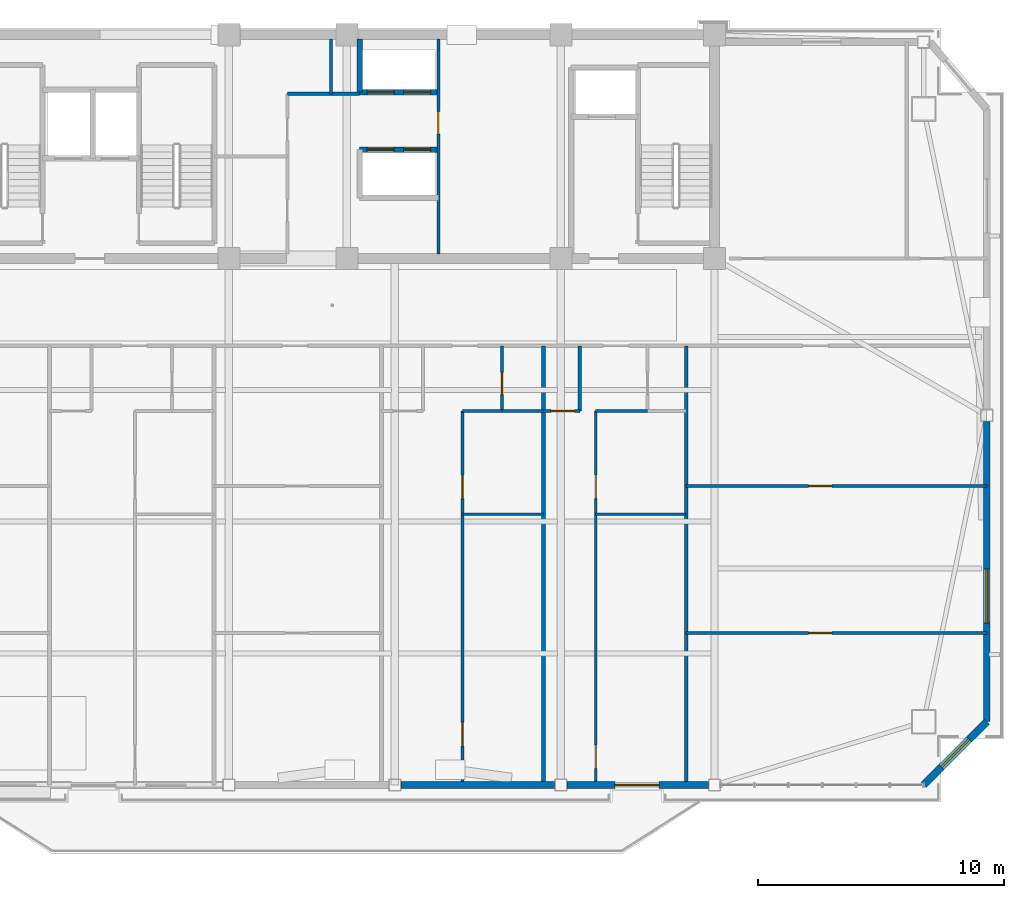
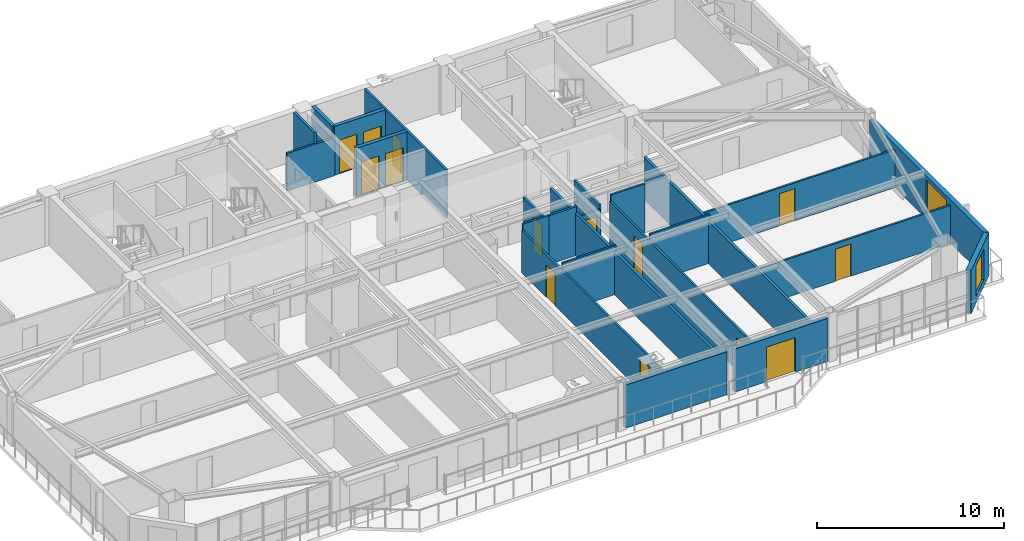
# One storey, part 10 of 18: 24 walls, 14 doors, 2 windows, 16 openings.
"""IFC4 building model written with IfcOpenShell, lengths in metres."""

import ifcopenshell
import ifcopenshell.guid

model = None  # the IFC model being written
_history = None  # IfcOwnerHistory: only IFC2X3 demands one
_inside = {}  # id of a spatial element -> (the spatial element, [elements in it])
_under = {}  # id of a project, library or spatial element -> (it, [spatial elements below it])
_declared = {}  # id of a project -> (the project, [libraries it declares])
_typed = {}  # id of a type object -> (the type object, [elements of that type])
_made_of = {}  # id of a material, layer set ... -> (it, [elements and type objects made of it])


def new_model(schema):
    """Start an empty IFC model of exactly this schema.

    Asked for "IFC4X3", IfcOpenShell would pick the latest addendum, in which some entities
    have other attributes; the version numbers below select the first issue.
    IFC2X3 requires an IfcOwnerHistory on every rooted entity: one is made here for all.
    """
    global model, _history
    if schema == "IFC4X3":
        model = ifcopenshell.file(schema_version=(4, 3, 0, 0))
    else:
        model = ifcopenshell.file(schema=schema)
    _inside.clear()
    _under.clear()
    _declared.clear()
    _typed.clear()
    _made_of.clear()
    _history = None
    if model.schema == "IFC2X3":
        org = make("IfcOrganization", Name="unknown")
        user = make(
            "IfcPersonAndOrganization",
            ThePerson=make("IfcPerson", FamilyName="unknown"),
            TheOrganization=org,
        )
        app = make(
            "IfcApplication",
            ApplicationDeveloper=org,
            Version="unknown",
            ApplicationFullName="unknown",
            ApplicationIdentifier="unknown",
        )
        _history = make(
            "IfcOwnerHistory",
            OwningUser=user,
            OwningApplication=app,
            ChangeAction="ADDED",
            CreationDate=0,
        )
    return model


def make(cls, **values):
    """One entity of the class cls with the attributes given. An attribute that is None is left unset."""
    return model.create_entity(
        cls, **{name: value for name, value in values.items() if value is not None}
    )


def rooted(cls, **values):
    """An entity with a GlobalId (a new one), such as an element, a storey or a relation."""
    return make(cls, GlobalId=ifcopenshell.guid.new(), OwnerHistory=_history, **values)


def si_unit(unit_type, name, prefix=None):
    """IfcSIUnit, for example si_unit("LENGTHUNIT", "METRE", prefix="MILLI")."""
    return make("IfcSIUnit", UnitType=unit_type, Prefix=prefix, Name=name)


def assignment(units):
    """IfcUnitAssignment: the units of a project."""
    return None if units is None else make("IfcUnitAssignment", Units=units)


def point(xyz):
    """IfcCartesianPoint."""
    return None if xyz is None else make("IfcCartesianPoint", Coordinates=xyz)


def direction(xyz):
    """IfcDirection."""
    return None if xyz is None else make("IfcDirection", DirectionRatios=xyz)


def frame(location, z_axis=None, x_axis=None):
    """IfcAxis2Placement3D, a coordinate frame: its origin and axes. An axis left out is left unset."""
    return make(
        "IfcAxis2Placement3D",
        Location=point(location),
        Axis=direction(z_axis),
        RefDirection=direction(x_axis),
    )


def frame_2d(location, x_axis=None):
    """IfcAxis2Placement2D, a coordinate frame in the plane: its origin and x axis."""
    return make(
        "IfcAxis2Placement2D", Location=point(location), RefDirection=direction(x_axis)
    )


def origin():
    """The frame at (0, 0, 0) with its axes left unset."""
    return frame((0.0, 0.0, 0.0))


def place(relative_to, where):
    """IfcLocalPlacement: puts the frame where relative to a parent placement (None: the world)."""
    return make(
        "IfcLocalPlacement", PlacementRelTo=relative_to, RelativePlacement=where
    )


def context(
    kind, dimensions, precision=None, world=None, true_north=None, identifier=None
):
    """IfcGeometricRepresentationContext, for example the 3D "Model" context."""
    return make(
        "IfcGeometricRepresentationContext",
        ContextIdentifier=identifier,
        ContextType=kind,
        CoordinateSpaceDimension=dimensions,
        Precision=precision,
        WorldCoordinateSystem=world,
        TrueNorth=true_north,
    )


def subcontext(parent, identifier, kind, view, scale=None):
    """IfcGeometricRepresentationSubContext, for example "Body" below "Model"."""
    return make(
        "IfcGeometricRepresentationSubContext",
        ContextIdentifier=identifier,
        ContextType=kind,
        ParentContext=parent,
        TargetScale=scale,
        TargetView=view,
    )


def project(units=None, contexts=None):
    """IfcProject with its units and contexts."""
    return rooted(
        "IfcProject",
        Name="project",
        RepresentationContexts=contexts,
        UnitsInContext=assignment(units),
    )


def spatial(cls, under=None, at=None, **own):
    """A site, building, storey or space (cls), placed at a placement, below another one or the project."""
    s = rooted(cls, ObjectPlacement=at, **own)
    if under is not None:
        _under.setdefault(under.id(), (under, []))[1].append(s)
    return s


def profile(cls, at=None, kind="AREA", **sizes):
    """A parametric profile (cls). Its sizes go by their IFC names, for example OverallWidth=200.0."""
    return make(cls, ProfileType=kind, Position=at, **sizes)


def rectangle(**sizes):
    """IfcRectangleProfileDef."""
    return profile("IfcRectangleProfileDef", **sizes)


def extrude(swept, where, along, depth):
    """IfcExtrudedAreaSolid: the profile swept, set in the frame where, extruded along a direction by depth."""
    return make(
        "IfcExtrudedAreaSolid",
        SweptArea=swept,
        Position=where,
        ExtrudedDirection=direction(along),
        Depth=depth,
    )


def shape(context_of_items, identifier, shape_type, items):
    """IfcShapeRepresentation: the items that make up one representation, for example the "Body"."""
    return make(
        "IfcShapeRepresentation",
        ContextOfItems=context_of_items,
        RepresentationIdentifier=identifier,
        RepresentationType=shape_type,
        Items=items,
    )


def source(mapping_origin, context_of_items, identifier, shape_type, items):
    """IfcRepresentationMap: a shape defined once, which mapped items show again and again."""
    return make(
        "IfcRepresentationMap",
        MappingOrigin=mapping_origin,
        MappedRepresentation=shape(context_of_items, identifier, shape_type, items),
    )


def transform(
    local_origin,
    x_axis=None,
    y_axis=None,
    z_axis=None,
    scale=None,
    scale2=None,
    scale3=None,
    uniform=True,
):
    """IfcCartesianTransformationOperator3D, or its non-uniform kind. x_axis, y_axis, z_axis: its Axis1, 2, 3."""
    if uniform:
        return make(
            "IfcCartesianTransformationOperator3D",
            Axis1=direction(x_axis),
            Axis2=direction(y_axis),
            LocalOrigin=point(local_origin),
            Scale=scale,
            Axis3=direction(z_axis),
        )
    return make(
        "IfcCartesianTransformationOperator3DnonUniform",
        Axis1=direction(x_axis),
        Axis2=direction(y_axis),
        LocalOrigin=point(local_origin),
        Scale=scale,
        Axis3=direction(z_axis),
        Scale2=scale2,
        Scale3=scale3,
    )


def mapped(mapping_source, mapping_target):
    """IfcMappedItem: shows the shape of a source again, moved by a transform."""
    return make(
        "IfcMappedItem", MappingSource=mapping_source, MappingTarget=mapping_target
    )


def material(Name=None, Category=None):
    """IfcMaterial."""
    return make("IfcMaterial", Name=Name, Category=Category)


def layer(
    of_material, thickness, ventilated=None, Name=None, Category=None, Priority=None
):
    """IfcMaterialLayer: one layer of a wall or slab, of a material (None: an air gap)."""
    return make(
        "IfcMaterialLayer",
        Material=of_material,
        LayerThickness=thickness,
        IsVentilated=ventilated,
        Name=Name,
        Category=Category,
        Priority=Priority,
    )


def layer_set(layers, Name=None):
    """IfcMaterialLayerSet."""
    return make("IfcMaterialLayerSet", MaterialLayers=layers, LayerSetName=Name)


def made_of(thing, what):
    """Note that an element or type object is made of a material, layer set ...; save() writes the relation."""
    if what is not None:
        _made_of.setdefault(what.id(), (what, []))[1].append(thing)
    return thing


def type_object(cls, material=None, **own):
    """A type object (cls), such as IfcWallType, which elements share."""
    return made_of(rooted(cls, **own), material)


def element(
    cls,
    number,
    at=None,
    inside=None,
    cuts=None,
    type_object=None,
    material=None,
    context=None,
    identifier="Body",
    shape_type=None,
    held_by="IfcProductDefinitionShape",
    body=None,
    shapes=None,
    **own,
):
    """One element of the class cls, such as IfcWall. Its Tag is "e" and its number.

    at: its placement. inside: the storey or other place that contains it. cuts: it is an
    opening in that element (IfcRelVoidsElement). A single representation is given by context,
    identifier, shape_type and body (its items); several are given by shapes. held_by: the class
    of the entity that holds the representations. save() writes the other relations.
    """
    e = rooted(cls, Tag="e%d" % number, ObjectPlacement=at, **own)
    if body is not None:
        shapes = [shape(context, identifier, shape_type, body)]
    if shapes is not None:
        e.Representation = make(held_by, Representations=shapes)
    if inside is not None:
        _inside.setdefault(inside.id(), (inside, []))[1].append(e)
    if cuts is not None:
        rooted(
            "IfcRelVoidsElement", RelatingBuildingElement=cuts, RelatedOpeningElement=e
        )
    if type_object is not None:
        _typed.setdefault(type_object.id(), (type_object, []))[1].append(e)
    return made_of(e, material)


def fill(opening, filler):
    """IfcRelFillsElement: the door or window that sits in an opening."""
    return rooted(
        "IfcRelFillsElement",
        RelatingOpeningElement=opening,
        RelatedBuildingElement=filler,
    )


def aggregate(whole, parts):
    """IfcRelAggregates: a whole, such as a stair, and the parts it consists of."""
    return rooted("IfcRelAggregates", RelatingObject=whole, RelatedObjects=parts)


def save(model, path):
    """Write the relations noted so far, then the file.

    IfcRelAggregates (storeys below a building ...), IfcRelContainedInSpatialStructure (elements
    in a storey), IfcRelDefinesByType, IfcRelAssociatesMaterial and IfcRelDeclares: one each for
    every whole, place, type object, material and project.
    """
    for whole, parts in _under.values():
        aggregate(whole, parts)
    for where, things in _inside.values():
        rooted(
            "IfcRelContainedInSpatialStructure",
            RelatedElements=things,
            RelatingStructure=where,
        )
    for kind, things in _typed.values():
        rooted("IfcRelDefinesByType", RelatedObjects=things, RelatingType=kind)
    for what, things in _made_of.values():
        rooted("IfcRelAssociatesMaterial", RelatedObjects=things, RelatingMaterial=what)
    for by, libraries in _declared.values():
        rooted("IfcRelDeclares", RelatingContext=by, RelatedDefinitions=libraries)
    model.write(path)


model = new_model("IFC4")

# Units and contexts
model_context = context("Model", 3, precision=1e-05, world=origin(), true_north=direction((0.0, 1.0)))
body_context = subcontext(model_context, "Body", "Model", "MODEL_VIEW")
ifc_project = project(units=[si_unit("LENGTHUNIT", "METRE"), si_unit("AREAUNIT", "SQUARE_METRE"), si_unit("VOLUMEUNIT", "CUBIC_METRE"), si_unit("PLANEANGLEUNIT", "RADIAN"), si_unit("MASSUNIT", "GRAM", prefix="KILO")], contexts=[model_context])

# Site, building, storey
site_placement = place(None, origin())
site = spatial("IfcSite", under=ifc_project, at=site_placement, CompositionType="ELEMENT")
building_placement = place(site_placement, origin())
building = spatial("IfcBuilding", under=site, at=building_placement, Name="Giltprow Tower", CompositionType="ELEMENT")
storey_placement = place(building_placement, frame((0.0, 0.0, 262.10009765625)))
storey = spatial("IfcBuildingStorey", under=building, at=storey_placement, Name="L67", CompositionType="ELEMENT", Elevation=262.10009765625)

# Wall, opening, window
ifc_material_1 = material(Name="Precast concrete C40", Category="concrete")
ifc_layer_1 = layer(ifc_material_1, 0.300048828125, Name="Precast concrete C40")
ifc_layer_set_1 = layer_set([ifc_layer_1], Name="Precast concrete C40")
wall_type_1 = type_object("IfcWallType", Name="EW-NOTCH-CHAMFER-300", PredefinedType="SOLIDWALL", material=ifc_layer_set_1)
wall_1_placement = place(storey_placement, frame((59.052978515625, 16.044921875, 0.0), z_axis=(0.0, 0.0, 1.0), x_axis=(0.707106781187, 0.707106781187, 0.0)))
wall_1 = element("IfcWall", 1, at=wall_1_placement, inside=storey, type_object=wall_type_1, Name="L67 Corner Notch Wall SE", PredefinedType="SOLIDWALL", context=body_context, shape_type="SweptSolid", body=[
    extrude(rectangle(XDim=3.63330078125, YDim=0.300048828125, at=frame_2d((1.816650390625, 0.0))), origin(), (0.0, 0.0, 1.0), 2.81494140625),
])
opening_1_placement = place(wall_1_placement, frame((1.01708984375, 0.0, 0.449951171875)))
opening_1 = element("IfcOpeningElement", 2, at=opening_1_placement, cuts=wall_1, Name="Opening WN17", PredefinedType="OPENING", context=body_context, shape_type="SweptSolid", body=[
    extrude(rectangle(XDim=1.60009765625, YDim=2.0, at=frame_2d((0.800048828125, 1.0))), frame((0.0, 0.159912109375, 0.0), z_axis=(0.0, -1.0, 0.0), x_axis=(1.0, 0.0, 0.0)), (0.0, 0.0, 1.0), 0.320068359375),
])
ifc_material_2 = material(Name="Insulated glass", Category="glass")
window_type_1 = type_object("IfcWindowType", Name="WN-COR-1600x2000", PartitioningType="SINGLE_PANEL", PredefinedType="WINDOW", material=ifc_material_2)
shared_shape_1 = source(origin(), body_context, "Body", "SweptSolid", [
    extrude(rectangle(XDim=1.60009765625, YDim=2.0, at=frame_2d((0.800048828125, 1.0))), frame((0.0, 0.030029296875, 0.0), z_axis=(0.0, -1.0, 0.0), x_axis=(1.0, 0.0, 0.0)), (0.0, 0.0, 1.0), 0.06005859375),
])
window_1_placement = place(opening_1_placement, origin())
window_1 = element("IfcWindow", 3, at=window_1_placement, inside=storey, type_object=window_type_1, Name="L67 Corner Notch Window SE", OverallHeight=2.0, OverallWidth=1.60009765625, PartitioningType="SINGLE_PANEL", PredefinedType="WINDOW", context=body_context, shape_type="MappedRepresentation", body=[
    mapped(shared_shape_1, transform((0.0, 0.0, 0.0), x_axis=(1.0, 0.0, 0.0), y_axis=(0.0, 1.0, 0.0), z_axis=(0.0, 0.0, 1.0), scale=1.0)),
])
fill(opening_1, window_1)

# Wall
ifc_layer_2 = layer(ifc_material_1, 0.280029296875, Name="Precast concrete C40")
ifc_layer_set_2 = layer_set([ifc_layer_2], Name="Precast concrete C40")
wall_type_2 = type_object("IfcWallType", Name="EW-TOW-BRONZE-280", PredefinedType="SOLIDWALL", material=ifc_layer_set_2)
wall_2_placement = place(storey_placement, frame((37.800048828125, 16.044921875, 0.0), z_axis=(0.0, 0.0, 1.0), x_axis=(1.0, 0.0, 0.0)))
element("IfcWall", 4, at=wall_2_placement, inside=storey, type_object=wall_type_2, Name="L67 South Expressed Frame Wall 4", PredefinedType="SOLIDWALL", context=body_context, shape_type="SweptSolid", body=[
    extrude(rectangle(XDim=6.25, YDim=0.280029296875, at=frame_2d((3.125, 0.0))), origin(), (0.0, 0.0, 1.0), 2.81494140625),
])

# Wall, opening, door
wall_3_placement = place(storey_placement, frame((44.550048828125, 16.044921875, 0.0), z_axis=(0.0, 0.0, 1.0), x_axis=(1.0, 0.0, 0.0)))
wall_3 = element("IfcWall", 5, at=wall_3_placement, inside=storey, type_object=wall_type_2, Name="L67 South Expressed Frame Wall 5", PredefinedType="SOLIDWALL", context=body_context, shape_type="SweptSolid", body=[
    extrude(rectangle(XDim=5.75, YDim=0.280029296875, at=frame_2d((2.875, 0.0))), origin(), (0.0, 0.0, 1.0), 2.81494140625),
])
opening_2_placement = place(wall_3_placement, frame((1.949951171875, 0.0, 0.0)))
opening_2 = element("IfcOpeningElement", 6, at=opening_2_placement, cuts=wall_3, Name="Opening ED25", PredefinedType="OPENING", context=body_context, shape_type="SweptSolid", body=[
    extrude(rectangle(XDim=1.800048828125, YDim=2.25, at=frame_2d((0.89990234375, 1.125))), frame((0.0, 0.14990234375, 0.0), z_axis=(0.0, -1.0, 0.0), x_axis=(1.0, 0.0, 0.0)), (0.0, 0.0, 1.0), 0.300048828125),
])
ifc_material_3 = material(Name="Anodized bronze and glass", Category="glass")
door_type_1 = type_object("IfcDoorType", Name="DR-BALC-SLIDE-1800", OperationType="SLIDING_TO_LEFT", PredefinedType="DOOR", material=ifc_material_3)
shared_shape_2 = source(origin(), body_context, "Body", "SweptSolid", [
    extrude(rectangle(XDim=1.800048828125, YDim=2.25, at=frame_2d((0.89990234375, 1.125))), frame((0.0, 0.02490234375, 0.0), z_axis=(0.0, -1.0, 0.0), x_axis=(1.0, 0.0, 0.0)), (0.0, 0.0, 1.0), 0.050048828125),
])
door_1_placement = place(opening_2_placement, origin())
door_1 = element("IfcDoor", 7, at=door_1_placement, inside=storey, type_object=door_type_1, Name="L67 Waterfront Balcony Sliding Door 2", OperationType="SLIDING_TO_LEFT", OverallHeight=2.25, OverallWidth=1.800048828125, PredefinedType="DOOR", context=body_context, shape_type="MappedRepresentation", body=[
    mapped(shared_shape_2, transform((0.0, 0.0, 0.0), x_axis=(1.0, 0.0, 0.0), y_axis=(0.0, 1.0, 0.0), z_axis=(0.0, 0.0, 1.0), scale=1.0)),
])
fill(opening_2, door_1)

# Wall, opening, window
wall_4_placement = place(storey_placement, frame((61.6220703125, 18.614013671875, 0.0), z_axis=(0.0, 0.0, 1.0), x_axis=(0.0, 1.0, 0.0)))
wall_4 = element("IfcWall", 8, at=wall_4_placement, inside=storey, type_object=wall_type_2, Name="L67 E Wing Masonry Wall 1", PredefinedType="SOLIDWALL", context=body_context, shape_type="SweptSolid", body=[
    extrude(rectangle(XDim=12.2080078125, YDim=0.280029296875, at=frame_2d((6.10400390625, 0.0))), origin(), (0.0, 0.0, 1.0), 2.81494140625),
])
opening_3_placement = place(wall_4_placement, frame((4.007080078125, 0.0, 0.449951171875)))
opening_3 = element("IfcOpeningElement", 9, at=opening_3_placement, cuts=wall_4, Name="Opening WN27", PredefinedType="OPENING", context=body_context, shape_type="SweptSolid", body=[
    extrude(rectangle(XDim=2.199951171875, YDim=2.10009765625, at=frame_2d((1.10009765625, 1.050048828125))), frame((0.0, 0.14990234375, 0.0), z_axis=(0.0, -1.0, 0.0), x_axis=(1.0, 0.0, 0.0)), (0.0, 0.0, 1.0), 0.300048828125),
])
window_type_2 = type_object("IfcWindowType", Name="WN-RES-2200x2100", PartitioningType="TRIPLE_PANEL_VERTICAL", PredefinedType="WINDOW", material=ifc_material_2)
shared_shape_3 = source(origin(), body_context, "Body", "SweptSolid", [
    extrude(rectangle(XDim=2.199951171875, YDim=2.10009765625, at=frame_2d((1.10009765625, 1.050048828125))), frame((0.0, 0.030029296875, 0.0), z_axis=(0.0, -1.0, 0.0), x_axis=(1.0, 0.0, 0.0)), (0.0, 0.0, 1.0), 0.06005859375),
])
window_2_placement = place(opening_3_placement, origin())
window_2 = element("IfcWindow", 10, at=window_2_placement, inside=storey, type_object=window_type_2, Name="L67 E Wing Window 1-1", OverallHeight=2.10009765625, OverallWidth=2.199951171875, PartitioningType="SINGLE_PANEL", PredefinedType="WINDOW", context=body_context, shape_type="MappedRepresentation", body=[
    mapped(shared_shape_3, transform((0.0, 0.0, 0.0), x_axis=(1.0, 0.0, 0.0), y_axis=(0.0, 1.0, 0.0), z_axis=(0.0, 0.0, 1.0), scale=1.0)),
])
fill(opening_3, window_2)

# Walls
ifc_material_4 = material(Name="Gypsum stud partition", Category="gypsum")
ifc_layer_3 = layer(ifc_material_4, 0.159912109375, Name="Gypsum stud partition")
ifc_layer_set_3 = layer_set([ifc_layer_3], Name="Gypsum stud partition")
wall_type_3 = type_object("IfcWallType", Name="IW-DEMISE-160", PredefinedType="PARTITIONING", material=ifc_layer_set_3)
for number, where, z_axis, x_axis, name in (
    (11, (43.60009765625, 16.044921875, 0.0), (0.0, 0.0, 1.0), (0.0, 1.0, 0.0), "L67 Apartment Party Wall 4"),
    (12, (49.39990234375, 16.044921875, 0.0), (0.0, 0.0, 1.0), (0.0, 1.0, 0.0), "L67 Apartment Party Wall 5"),
):
    element("IfcWall", number, at=place(storey_placement, frame(where, z_axis=z_axis, x_axis=x_axis)), inside=storey, type_object=wall_type_3, Name=name, PredefinedType="PARTITIONING", context=body_context, shape_type="SweptSolid", body=[
        extrude(rectangle(XDim=17.85498046875, YDim=0.159912109375, at=frame_2d((8.927490234375, 0.0))), origin(), (0.0, 0.0, 1.0), 2.77001953125),
    ])
ifc_layer_4 = layer(ifc_material_4, 0.1201171875, Name="Gypsum stud partition")
ifc_layer_set_4 = layer_set([ifc_layer_4], Name="Gypsum stud partition")
wall_type_4 = type_object("IfcWallType", Name="IW-ROOM-120", PredefinedType="PARTITIONING", material=ifc_layer_set_4)
wall_5_placement = place(storey_placement, frame((40.300048828125, 31.25, 0.0), z_axis=(0.0, 0.0, 1.0), x_axis=(1.0, 0.0, 0.0)))
element("IfcWall", 13, at=wall_5_placement, inside=storey, type_object=wall_type_4, Name="L67 Unit 2 Bedroom North Wall", PredefinedType="PARTITIONING", context=body_context, shape_type="SweptSolid", body=[
    extrude(rectangle(XDim=1.60986328125, YDim=0.1201171875, at=frame_2d((0.804931640625, 0.0))), origin(), (0.0, 0.0, 1.0), 3.184814453125),
])

# Wall, openings, doors
wall_6_placement = place(storey_placement, frame((40.300048828125, 16.044921875, 0.0), z_axis=(0.0, 0.0, 1.0), x_axis=(0.0, 1.0, 0.0)))
wall_6 = element("IfcWall", 14, at=wall_6_placement, inside=storey, type_object=wall_type_4, Name="L67 Unit 2 Bedroom Wall", PredefinedType="PARTITIONING", context=body_context, shape_type="SweptSolid", body=[
    extrude(rectangle(XDim=15.205078125, YDim=0.1201171875, at=frame_2d((7.6025390625, 0.0))), origin(), (0.0, 0.0, 1.0), 2.77001953125),
])
opening_4_placement = place(wall_6_placement, frame((1.590087890625, 0.0, 0.0)))
opening_4 = element("IfcOpeningElement", 15, at=opening_4_placement, cuts=wall_6, Name="Opening ID11", PredefinedType="OPENING", context=body_context, shape_type="SweptSolid", body=[
    extrude(rectangle(XDim=0.949951171875, YDim=2.10009765625, at=frame_2d((0.47509765625, 1.050048828125))), frame((0.0, 0.070068359375, 0.0), z_axis=(0.0, -1.0, 0.0), x_axis=(1.0, 0.0, 0.0)), (0.0, 0.0, 1.0), 0.14013671875),
])
opening_5_placement = place(wall_6_placement, frame((11.64501953125, 0.0, 0.0)))
opening_5 = element("IfcOpeningElement", 16, at=opening_5_placement, cuts=wall_6, Name="Opening ID11", PredefinedType="OPENING", context=body_context, shape_type="SweptSolid", body=[
    extrude(rectangle(XDim=0.949951171875, YDim=2.10009765625, at=frame_2d((0.47509765625, 1.050048828125))), frame((0.0, 0.070068359375, 0.0), z_axis=(0.0, -1.0, 0.0), x_axis=(1.0, 0.0, 0.0)), (0.0, 0.0, 1.0), 0.14013671875),
])
ifc_material_5 = material(Name="Engineered timber", Category="wood")
door_type_2 = type_object("IfcDoorType", Name="DR-ROOM-950", OperationType="SINGLE_SWING_RIGHT", PredefinedType="DOOR", material=ifc_material_5)
shared_shape_4 = source(origin(), body_context, "Body", "SweptSolid", [
    extrude(rectangle(XDim=0.949951171875, YDim=2.10009765625, at=frame_2d((0.47509765625, 1.050048828125))), frame((0.0, 0.02490234375, 0.0), z_axis=(0.0, -1.0, 0.0), x_axis=(1.0, 0.0, 0.0)), (0.0, 0.0, 1.0), 0.050048828125),
])
door_2_placement = place(opening_4_placement, origin())
door_2 = element("IfcDoor", 17, at=door_2_placement, inside=storey, type_object=door_type_2, Name="L67 Unit 2 Primary Bedroom Door", OperationType="SINGLE_SWING_RIGHT", OverallHeight=2.10009765625, OverallWidth=0.949951171875, PredefinedType="DOOR", context=body_context, shape_type="MappedRepresentation", body=[
    mapped(shared_shape_4, transform((0.0, 0.0, 0.0), x_axis=(1.0, 0.0, 0.0), y_axis=(0.0, 1.0, 0.0), z_axis=(0.0, 0.0, 1.0), scale=1.0)),
])
fill(opening_4, door_2)
door_3_placement = place(opening_5_placement, origin())
door_3 = element("IfcDoor", 18, at=door_3_placement, inside=storey, type_object=door_type_2, Name="L67 Unit 2 Second Bedroom Door", OperationType="SINGLE_SWING_LEFT", OverallHeight=2.10009765625, OverallWidth=0.949951171875, PredefinedType="DOOR", context=body_context, shape_type="MappedRepresentation", body=[
    mapped(shared_shape_4, transform((0.0, 0.0, 0.0), x_axis=(1.0, 0.0, 0.0), y_axis=(0.0, 1.0, 0.0), z_axis=(0.0, 0.0, 1.0), scale=1.0)),
])
fill(opening_5, door_3)

# Walls
wall_7_placement = place(storey_placement, frame((40.300048828125, 27.050048828125, 0.0), z_axis=(0.0, 0.0, 1.0), x_axis=(1.0, 0.0, 0.0)))
element("IfcWall", 19, at=wall_7_placement, inside=storey, type_object=wall_type_4, Name="L67 Unit 2 Second Bedroom Wall", PredefinedType="PARTITIONING", context=body_context, shape_type="SweptSolid", body=[
    extrude(rectangle(XDim=3.300048828125, YDim=0.1201171875, at=frame_2d((1.64990234375, 0.0))), origin(), (0.0, 0.0, 1.0), 3.184814453125),
])
wall_8_placement = place(storey_placement, frame((45.719970703125, 31.25, 0.0), z_axis=(0.0, 0.0, 1.0), x_axis=(1.0, 0.0, 0.0)))
element("IfcWall", 20, at=wall_8_placement, inside=storey, type_object=wall_type_4, Name="L67 Unit 3 Bedroom North Wall", PredefinedType="PARTITIONING", context=body_context, shape_type="SweptSolid", body=[
    extrude(rectangle(XDim=2.10009765625, YDim=0.1201171875, at=frame_2d((1.050048828125, 0.0))), origin(), (0.0, 0.0, 1.0), 3.184814453125),
])

# Wall, openings, doors
wall_9_placement = place(storey_placement, frame((45.719970703125, 16.044921875, 0.0), z_axis=(0.0, 0.0, 1.0), x_axis=(0.0, 1.0, 0.0)))
wall_9 = element("IfcWall", 21, at=wall_9_placement, inside=storey, type_object=wall_type_4, Name="L67 Unit 3 Bedroom Wall", PredefinedType="PARTITIONING", context=body_context, shape_type="SweptSolid", body=[
    extrude(rectangle(XDim=15.205078125, YDim=0.1201171875, at=frame_2d((7.6025390625, 0.0))), origin(), (0.0, 0.0, 1.0), 2.77001953125),
])
opening_6_placement = place(wall_9_placement, frame((0.669921875, 0.0, 0.0)))
opening_6 = element("IfcOpeningElement", 22, at=opening_6_placement, cuts=wall_9, Name="Opening ID11", PredefinedType="OPENING", context=body_context, shape_type="SweptSolid", body=[
    extrude(rectangle(XDim=0.949951171875, YDim=2.10009765625, at=frame_2d((0.47509765625, 1.050048828125))), frame((0.0, 0.070068359375, 0.0), z_axis=(0.0, -1.0, 0.0), x_axis=(1.0, 0.0, 0.0)), (0.0, 0.0, 1.0), 0.14013671875),
])
opening_7_placement = place(wall_9_placement, frame((11.64501953125, 0.0, 0.0)))
opening_7 = element("IfcOpeningElement", 23, at=opening_7_placement, cuts=wall_9, Name="Opening ID11", PredefinedType="OPENING", context=body_context, shape_type="SweptSolid", body=[
    extrude(rectangle(XDim=0.949951171875, YDim=2.10009765625, at=frame_2d((0.47509765625, 1.050048828125))), frame((0.0, 0.070068359375, 0.0), z_axis=(0.0, -1.0, 0.0), x_axis=(1.0, 0.0, 0.0)), (0.0, 0.0, 1.0), 0.14013671875),
])
door_4_placement = place(opening_6_placement, origin())
door_4 = element("IfcDoor", 24, at=door_4_placement, inside=storey, type_object=door_type_2, Name="L67 Unit 3 Primary Bedroom Door", OperationType="SINGLE_SWING_LEFT", OverallHeight=2.10009765625, OverallWidth=0.949951171875, PredefinedType="DOOR", context=body_context, shape_type="MappedRepresentation", body=[
    mapped(shared_shape_4, transform((0.0, 0.0, 0.0), x_axis=(1.0, 0.0, 0.0), y_axis=(0.0, 1.0, 0.0), z_axis=(0.0, 0.0, 1.0), scale=1.0)),
])
fill(opening_6, door_4)
door_5_placement = place(opening_7_placement, origin())
door_5 = element("IfcDoor", 25, at=door_5_placement, inside=storey, type_object=door_type_2, Name="L67 Unit 3 Second Bedroom Door", OperationType="SINGLE_SWING_RIGHT", OverallHeight=2.10009765625, OverallWidth=0.949951171875, PredefinedType="DOOR", context=body_context, shape_type="MappedRepresentation", body=[
    mapped(shared_shape_4, transform((0.0, 0.0, 0.0), x_axis=(1.0, 0.0, 0.0), y_axis=(0.0, 1.0, 0.0), z_axis=(0.0, 0.0, 1.0), scale=1.0)),
])
fill(opening_7, door_5)

# Wall
wall_10_placement = place(storey_placement, frame((45.719970703125, 27.050048828125, 0.0), z_axis=(0.0, 0.0, 1.0), x_axis=(1.0, 0.0, 0.0)))
element("IfcWall", 26, at=wall_10_placement, inside=storey, type_object=wall_type_4, Name="L67 Unit 3 Second Bedroom Wall", PredefinedType="PARTITIONING", context=body_context, shape_type="SweptSolid", body=[
    extrude(rectangle(XDim=3.679931640625, YDim=0.1201171875, at=frame_2d((1.83984375, 0.0))), origin(), (0.0, 0.0, 1.0), 3.184814453125),
])

# Wall, opening, door
wall_11_placement = place(storey_placement, frame((49.39990234375, 22.220947265625, 0.0), z_axis=(0.0, 0.0, 1.0), x_axis=(1.0, 0.0, 0.0)))
wall_11 = element("IfcWall", 27, at=wall_11_placement, inside=storey, type_object=wall_type_4, Name="L67 Special Split 1", PredefinedType="PARTITIONING", context=body_context, shape_type="SweptSolid", body=[
    extrude(rectangle(XDim=12.22216796875, YDim=0.1201171875, at=frame_2d((6.111083984375, 0.0))), origin(), (0.0, 0.0, 1.0), 2.469970703125),
])
opening_8_placement = place(wall_11_placement, frame((4.97509765625, 0.0, 0.0)))
opening_8 = element("IfcOpeningElement", 28, at=opening_8_placement, cuts=wall_11, Name="Opening ID11", PredefinedType="OPENING", context=body_context, shape_type="SweptSolid", body=[
    extrude(rectangle(XDim=0.949951171875, YDim=2.10009765625, at=frame_2d((0.47509765625, 1.050048828125))), frame((0.0, 0.070068359375, 0.0), z_axis=(0.0, -1.0, 0.0), x_axis=(1.0, 0.0, 0.0)), (0.0, 0.0, 1.0), 0.14013671875),
])
door_6_placement = place(opening_8_placement, origin())
door_6 = element("IfcDoor", 29, at=door_6_placement, inside=storey, type_object=door_type_2, Name="L67 Screening Meeting Room 3 South Door", OperationType="SINGLE_SWING_LEFT", OverallHeight=2.10009765625, OverallWidth=0.949951171875, PredefinedType="DOOR", context=body_context, shape_type="MappedRepresentation", body=[
    mapped(shared_shape_4, transform((0.0, 0.0, 0.0), x_axis=(1.0, 0.0, 0.0), y_axis=(0.0, 1.0, 0.0), z_axis=(0.0, 0.0, 1.0), scale=1.0)),
])
fill(opening_8, door_6)

wall_12_placement = place(storey_placement, frame((49.39990234375, 28.196044921875, 0.0), z_axis=(0.0, 0.0, 1.0), x_axis=(1.0, 0.0, 0.0)))
wall_12 = element("IfcWall", 30, at=wall_12_placement, inside=storey, type_object=wall_type_4, Name="L67 Special Split 2", PredefinedType="PARTITIONING", context=body_context, shape_type="SweptSolid", body=[
    extrude(rectangle(XDim=12.22216796875, YDim=0.1201171875, at=frame_2d((6.111083984375, 0.0))), origin(), (0.0, 0.0, 1.0), 2.469970703125),
])
opening_9_placement = place(wall_12_placement, frame((4.97509765625, 0.0, 0.0)))
opening_9 = element("IfcOpeningElement", 31, at=opening_9_placement, cuts=wall_12, Name="Opening ID11", PredefinedType="OPENING", context=body_context, shape_type="SweptSolid", body=[
    extrude(rectangle(XDim=0.949951171875, YDim=2.10009765625, at=frame_2d((0.47509765625, 1.050048828125))), frame((0.0, 0.070068359375, 0.0), z_axis=(0.0, -1.0, 0.0), x_axis=(1.0, 0.0, 0.0)), (0.0, 0.0, 1.0), 0.14013671875),
])
door_7_placement = place(opening_9_placement, origin())
door_7 = element("IfcDoor", 32, at=door_7_placement, inside=storey, type_object=door_type_2, Name="L67 Screening Meeting Room 3 Mid Door", OperationType="SINGLE_SWING_RIGHT", OverallHeight=2.10009765625, OverallWidth=0.949951171875, PredefinedType="DOOR", context=body_context, shape_type="MappedRepresentation", body=[
    mapped(shared_shape_4, transform((0.0, 0.0, 0.0), x_axis=(1.0, 0.0, 0.0), y_axis=(0.0, 1.0, 0.0), z_axis=(0.0, 0.0, 1.0), scale=1.0)),
])
fill(opening_9, door_7)

# Wall, openings, doors
ifc_material_6 = material(Name="Concrete C40", Category="concrete")
ifc_layer_5 = layer(ifc_material_6, 0.219970703125, Name="Concrete C40")
ifc_layer_set_5 = layer_set([ifc_layer_5], Name="Concrete C40")
wall_type_5 = type_object("IfcWallType", Name="IW-SHAFT-220", PredefinedType="SOLIDWALL", material=ifc_layer_set_5)
wall_13_placement = place(storey_placement, frame((36.1201171875, 44.219970703125, 0.0), z_axis=(0.0, 0.0, 1.0), x_axis=(1.0, 0.0, 0.0)))
wall_13 = element("IfcWall", 33, at=wall_13_placement, inside=storey, type_object=wall_type_5, Name="L67 High-Rise Lift Shaft Front Wall N", PredefinedType="SOLIDWALL", context=body_context, shape_type="SweptSolid", body=[
    extrude(rectangle(XDim=3.199951171875, YDim=0.219970703125, at=frame_2d((1.60009765625, 0.0))), origin(), (0.0, 0.0, 1.0), 3.184814453125),
])
opening_10_placement = place(wall_13_placement, frame((0.300048828125, 0.0, 0.0)))
opening_10 = element("IfcOpeningElement", 34, at=opening_10_placement, cuts=wall_13, Name="Opening LD-11", PredefinedType="OPENING", context=body_context, shape_type="SweptSolid", body=[
    extrude(rectangle(XDim=1.10009765625, YDim=2.199951171875, at=frame_2d((0.550048828125, 1.10009765625))), frame((0.0, 0.119873046875, 0.0), z_axis=(0.0, -1.0, 0.0), x_axis=(1.0, 0.0, 0.0)), (0.0, 0.0, 1.0), 0.239990234375),
])
opening_11_placement = place(wall_13_placement, frame((1.7900390625, 0.0, 0.0)))
opening_11 = element("IfcOpeningElement", 35, at=opening_11_placement, cuts=wall_13, Name="Opening LD-11", PredefinedType="OPENING", context=body_context, shape_type="SweptSolid", body=[
    extrude(rectangle(XDim=1.10009765625, YDim=2.199951171875, at=frame_2d((0.550048828125, 1.10009765625))), frame((0.0, 0.119873046875, 0.0), z_axis=(0.0, -1.0, 0.0), x_axis=(1.0, 0.0, 0.0)), (0.0, 0.0, 1.0), 0.239990234375),
])
ifc_material_7 = material(Name="Stainless steel", Category="steel")
door_type_3 = type_object("IfcDoorType", Name="DR-LIFT-LD1100", OperationType="SLIDING_TO_LEFT", PredefinedType="DOOR", material=ifc_material_7)
shared_shape_5 = source(origin(), body_context, "Body", "SweptSolid", [
    extrude(rectangle(XDim=1.10009765625, YDim=2.199951171875, at=frame_2d((0.550048828125, 1.10009765625))), frame((0.0, 0.02490234375, 0.0), z_axis=(0.0, -1.0, 0.0), x_axis=(1.0, 0.0, 0.0)), (0.0, 0.0, 1.0), 0.050048828125),
])
door_8_placement = place(opening_10_placement, origin())
door_8 = element("IfcDoor", 36, at=door_8_placement, inside=storey, type_object=door_type_3, Name="L67 PL-H1 Landing Door", OperationType="SLIDING_TO_LEFT", OverallHeight=2.199951171875, OverallWidth=1.10009765625, PredefinedType="DOOR", context=body_context, shape_type="MappedRepresentation", body=[
    mapped(shared_shape_5, transform((0.0, 0.0, 0.0), x_axis=(1.0, 0.0, 0.0), y_axis=(0.0, 1.0, 0.0), z_axis=(0.0, 0.0, 1.0), scale=1.0)),
])
fill(opening_10, door_8)
door_9_placement = place(opening_11_placement, origin())
door_9 = element("IfcDoor", 37, at=door_9_placement, inside=storey, type_object=door_type_3, Name="L67 PL-H2 Landing Door", OperationType="SLIDING_TO_LEFT", OverallHeight=2.199951171875, OverallWidth=1.10009765625, PredefinedType="DOOR", context=body_context, shape_type="MappedRepresentation", body=[
    mapped(shared_shape_5, transform((0.0, 0.0, 0.0), x_axis=(1.0, 0.0, 0.0), y_axis=(0.0, 1.0, 0.0), z_axis=(0.0, 0.0, 1.0), scale=1.0)),
])
fill(opening_11, door_9)

wall_14_placement = place(storey_placement, frame((36.1201171875, 41.8798828125, 0.0), z_axis=(0.0, 0.0, 1.0), x_axis=(1.0, 0.0, 0.0)))
wall_14 = element("IfcWall", 38, at=wall_14_placement, inside=storey, type_object=wall_type_5, Name="L67 High-Rise Lift Shaft Front Wall S", PredefinedType="SOLIDWALL", context=body_context, shape_type="SweptSolid", body=[
    extrude(rectangle(XDim=3.199951171875, YDim=0.219970703125, at=frame_2d((1.60009765625, 0.0))), origin(), (0.0, 0.0, 1.0), 3.184814453125),
])
opening_12_placement = place(wall_14_placement, frame((0.300048828125, 0.0, 0.0)))
opening_12 = element("IfcOpeningElement", 39, at=opening_12_placement, cuts=wall_14, Name="Opening LD-11", PredefinedType="OPENING", context=body_context, shape_type="SweptSolid", body=[
    extrude(rectangle(XDim=1.10009765625, YDim=2.199951171875, at=frame_2d((0.550048828125, 1.10009765625))), frame((0.0, 0.119873046875, 0.0), z_axis=(0.0, -1.0, 0.0), x_axis=(1.0, 0.0, 0.0)), (0.0, 0.0, 1.0), 0.239990234375),
])
opening_13_placement = place(wall_14_placement, frame((1.7900390625, 0.0, 0.0)))
opening_13 = element("IfcOpeningElement", 40, at=opening_13_placement, cuts=wall_14, Name="Opening LD-11", PredefinedType="OPENING", context=body_context, shape_type="SweptSolid", body=[
    extrude(rectangle(XDim=1.10009765625, YDim=2.199951171875, at=frame_2d((0.550048828125, 1.10009765625))), frame((0.0, 0.119873046875, 0.0), z_axis=(0.0, -1.0, 0.0), x_axis=(1.0, 0.0, 0.0)), (0.0, 0.0, 1.0), 0.239990234375),
])
door_10_placement = place(opening_12_placement, origin())
door_10 = element("IfcDoor", 41, at=door_10_placement, inside=storey, type_object=door_type_3, Name="L67 PL-H3 Landing Door", OperationType="SLIDING_TO_LEFT", OverallHeight=2.199951171875, OverallWidth=1.10009765625, PredefinedType="DOOR", context=body_context, shape_type="MappedRepresentation", body=[
    mapped(shared_shape_5, transform((0.0, 0.0, 0.0), x_axis=(1.0, 0.0, 0.0), y_axis=(0.0, 1.0, 0.0), z_axis=(0.0, 0.0, 1.0), scale=1.0)),
])
fill(opening_12, door_10)
door_11_placement = place(opening_13_placement, origin())
door_11 = element("IfcDoor", 42, at=door_11_placement, inside=storey, type_object=door_type_3, Name="L67 PL-H4 Landing Door", OperationType="SLIDING_TO_LEFT", OverallHeight=2.199951171875, OverallWidth=1.10009765625, PredefinedType="DOOR", context=body_context, shape_type="MappedRepresentation", body=[
    mapped(shared_shape_5, transform((0.0, 0.0, 0.0), x_axis=(1.0, 0.0, 0.0), y_axis=(0.0, 1.0, 0.0), z_axis=(0.0, 0.0, 1.0), scale=1.0)),
])
fill(opening_13, door_11)

# Walls
wall_15_placement = place(storey_placement, frame((36.1201171875, 44.219970703125, 0.0), z_axis=(0.0, 0.0, 1.0), x_axis=(0.0, 1.0, 0.0)))
element("IfcWall", 43, at=wall_15_placement, inside=storey, type_object=wall_type_5, Name="L67 High-Rise North Lift West Closure", PredefinedType="SOLIDWALL", context=body_context, shape_type="SweptSolid", body=[
    extrude(rectangle(XDim=2.150146484375, YDim=0.219970703125, at=frame_2d((1.0751953125, 0.0))), origin(), (0.0, 0.0, 1.0), 3.184814453125),
])
ifc_material_8 = material(Name="Concrete C30", Category="concrete")
ifc_layer_6 = layer(ifc_material_8, 0.1298828125, Name="Concrete C30")
ifc_layer_set_6 = layer_set([ifc_layer_6], Name="Concrete C30")
wall_type_6 = type_object("IfcWallType", Name="IW-WET-130", PredefinedType="PARTITIONING", material=ifc_layer_set_6)
wall_16_placement = place(storey_placement, frame((34.949951171875, 44.14990234375, 0.0), z_axis=(0.0, 0.0, 1.0), x_axis=(0.0, 1.0, 0.0)))
element("IfcWall", 44, at=wall_16_placement, inside=storey, type_object=wall_type_6, Name="L67 Reclaimed West Pocket Wall E", PredefinedType="PARTITIONING", context=body_context, shape_type="SweptSolid", body=[
    extrude(rectangle(XDim=2.22021484375, YDim=0.1298828125, at=frame_2d((1.110107421875, 0.0))), origin(), (0.0, 0.0, 1.0), 3.184814453125),
])
wall_17_placement = place(storey_placement, frame((33.179931640625, 44.14990234375, 0.0), z_axis=(0.0, 0.0, 1.0), x_axis=(1.0, 0.0, 0.0)))
element("IfcWall", 45, at=wall_17_placement, inside=storey, type_object=wall_type_6, Name="L67 Reclaimed West Pocket Wall S", PredefinedType="PARTITIONING", context=body_context, shape_type="SweptSolid", body=[
    extrude(rectangle(XDim=2.940185546875, YDim=0.1298828125, at=frame_2d((1.47021484375, 0.0))), origin(), (0.0, 0.0, 1.0), 2.469970703125),
])

# Wall, opening, door
wall_18_placement = place(storey_placement, frame((39.320068359375, 37.6298828125, 0.0), z_axis=(0.0, 0.0, 1.0), x_axis=(0.0, 1.0, 0.0)))
wall_18 = element("IfcWall", 46, at=wall_18_placement, inside=storey, type_object=wall_type_6, Name="L67 Reclaimed East Core Wall", PredefinedType="PARTITIONING", context=body_context, shape_type="SweptSolid", body=[
    extrude(rectangle(XDim=8.740234375, YDim=0.1298828125, at=frame_2d((4.3701171875, 0.0))), origin(), (0.0, 0.0, 1.0), 3.184814453125),
])
opening_14_placement = place(wall_18_placement, frame((4.889892578125, 0.0, 0.0)))
opening_14 = element("IfcOpeningElement", 47, at=opening_14_placement, cuts=wall_18, Name="Opening ID35", PredefinedType="OPENING", context=body_context, shape_type="SweptSolid", body=[
    extrude(rectangle(XDim=0.89990234375, YDim=2.10009765625, at=frame_2d((0.449951171875, 1.050048828125))), frame((0.0, 0.074951171875, 0.0), z_axis=(0.0, -1.0, 0.0), x_axis=(1.0, 0.0, 0.0)), (0.0, 0.0, 1.0), 0.14990234375),
])
ifc_material_9 = material(Name="Steel fire leaf", Category="steel")
door_type_4 = type_object("IfcDoorType", Name="DR-SHAFT-900", OperationType="SINGLE_SWING_LEFT", PredefinedType="DOOR", material=ifc_material_9)
shared_shape_6 = source(origin(), body_context, "Body", "SweptSolid", [
    extrude(rectangle(XDim=0.89990234375, YDim=2.10009765625, at=frame_2d((0.449951171875, 1.050048828125))), frame((0.0, 0.02490234375, 0.0), z_axis=(0.0, -1.0, 0.0), x_axis=(1.0, 0.0, 0.0)), (0.0, 0.0, 1.0), 0.050048828125),
])
door_12_placement = place(opening_14_placement, origin())
door_12 = element("IfcDoor", 48, at=door_12_placement, inside=storey, type_object=door_type_4, Name="L67 Core Cold Delivery Store Door", OperationType="SINGLE_SWING_LEFT", OverallHeight=2.10009765625, OverallWidth=0.89990234375, PredefinedType="DOOR", context=body_context, shape_type="MappedRepresentation", body=[
    mapped(shared_shape_6, transform((0.0, 0.0, 0.0), x_axis=(1.0, 0.0, 0.0), y_axis=(0.0, 1.0, 0.0), z_axis=(0.0, 0.0, 1.0), scale=1.0)),
])
fill(opening_14, door_12)

# Wall
wall_19_placement = place(storey_placement, frame((41.909912109375, 31.25, 0.0), z_axis=(0.0, 0.0, 1.0), x_axis=(1.0, 0.0, 0.0)))
element("IfcWall", 49, at=wall_19_placement, inside=storey, type_object=wall_type_6, Name="L67 Unit 2 Bathroom South Wall", PredefinedType="PARTITIONING", context=body_context, shape_type="SweptSolid", body=[
    extrude(rectangle(XDim=1.690185546875, YDim=0.1298828125, at=frame_2d((0.84521484375, 0.0))), origin(), (0.0, 0.0, 1.0), 3.184814453125),
])

# Wall, opening, door
wall_20_placement = place(storey_placement, frame((41.909912109375, 31.25, 0.0), z_axis=(0.0, 0.0, 1.0), x_axis=(0.0, 1.0, 0.0)))
wall_20 = element("IfcWall", 50, at=wall_20_placement, inside=storey, type_object=wall_type_6, Name="L67 Unit 2 Bathroom West Wall", PredefinedType="PARTITIONING", context=body_context, shape_type="SweptSolid", body=[
    extrude(rectangle(XDim=2.64990234375, YDim=0.1298828125, at=frame_2d((1.324951171875, 0.0))), origin(), (0.0, 0.0, 1.0), 2.77001953125),
])
opening_15_placement = place(wall_20_placement, frame((0.669921875, 0.0, 0.0)))
opening_15 = element("IfcOpeningElement", 51, at=opening_15_placement, cuts=wall_20, Name="Opening ID15", PredefinedType="OPENING", context=body_context, shape_type="SweptSolid", body=[
    extrude(rectangle(XDim=0.89990234375, YDim=2.10009765625, at=frame_2d((0.449951171875, 1.050048828125))), frame((0.0, 0.074951171875, 0.0), z_axis=(0.0, -1.0, 0.0), x_axis=(1.0, 0.0, 0.0)), (0.0, 0.0, 1.0), 0.14990234375),
])
door_type_5 = type_object("IfcDoorType", Name="DR-WC-900", OperationType="SINGLE_SWING_LEFT", PredefinedType="DOOR", material=ifc_material_5)
door_13_placement = place(opening_15_placement, origin())
door_13 = element("IfcDoor", 52, at=door_13_placement, inside=storey, type_object=door_type_5, Name="L67 Unit 2 Bathroom Door", OperationType="SINGLE_SWING_LEFT", OverallHeight=2.10009765625, OverallWidth=0.89990234375, PredefinedType="DOOR", context=body_context, shape_type="MappedRepresentation", body=[
    mapped(shared_shape_6, transform((0.0, 0.0, 0.0), x_axis=(1.0, 0.0, 0.0), y_axis=(0.0, 1.0, 0.0), z_axis=(0.0, 0.0, 1.0), scale=1.0)),
])
fill(opening_15, door_13)

wall_21_placement = place(storey_placement, frame((43.60009765625, 31.25, 0.0), z_axis=(0.0, 0.0, 1.0), x_axis=(1.0, 0.0, 0.0)))
wall_21 = element("IfcWall", 53, at=wall_21_placement, inside=storey, type_object=wall_type_6, Name="L67 Unit 3 Kitchen South Wall", PredefinedType="PARTITIONING", context=body_context, shape_type="SweptSolid", body=[
    extrude(rectangle(XDim=1.469970703125, YDim=0.1298828125, at=frame_2d((0.73486328125, 0.0))), origin(), (0.0, 0.0, 1.0), 2.469970703125),
])
opening_16_placement = place(wall_21_placement, frame((0.300048828125, 0.0, 0.0)))
opening_16 = element("IfcOpeningElement", 54, at=opening_16_placement, cuts=wall_21, Name="Opening ID11", PredefinedType="OPENING", context=body_context, shape_type="SweptSolid", body=[
    extrude(rectangle(XDim=0.949951171875, YDim=2.10009765625, at=frame_2d((0.47509765625, 1.050048828125))), frame((0.0, 0.074951171875, 0.0), z_axis=(0.0, -1.0, 0.0), x_axis=(1.0, 0.0, 0.0)), (0.0, 0.0, 1.0), 0.14990234375),
])
door_14_placement = place(opening_16_placement, origin())
door_14 = element("IfcDoor", 55, at=door_14_placement, inside=storey, type_object=door_type_2, Name="L67 Unit 3 Kitchen Door", OperationType="SINGLE_SWING_LEFT", OverallHeight=2.10009765625, OverallWidth=0.949951171875, PredefinedType="DOOR", context=body_context, shape_type="MappedRepresentation", body=[
    mapped(shared_shape_4, transform((0.0, 0.0, 0.0), x_axis=(1.0, 0.0, 0.0), y_axis=(0.0, 1.0, 0.0), z_axis=(0.0, 0.0, 1.0), scale=1.0)),
])
fill(opening_16, door_14)

# Wall
wall_22_placement = place(storey_placement, frame((45.070068359375, 31.25, 0.0), z_axis=(0.0, 0.0, 1.0), x_axis=(0.0, 1.0, 0.0)))
element("IfcWall", 56, at=wall_22_placement, inside=storey, type_object=wall_type_6, Name="L67 Unit 3 Kitchen East Wall", PredefinedType="PARTITIONING", context=body_context, shape_type="SweptSolid", body=[
    extrude(rectangle(XDim=2.64990234375, YDim=0.1298828125, at=frame_2d((1.324951171875, 0.0))), origin(), (0.0, 0.0, 1.0), 2.77001953125),
])

save(model, "model.ifc")
